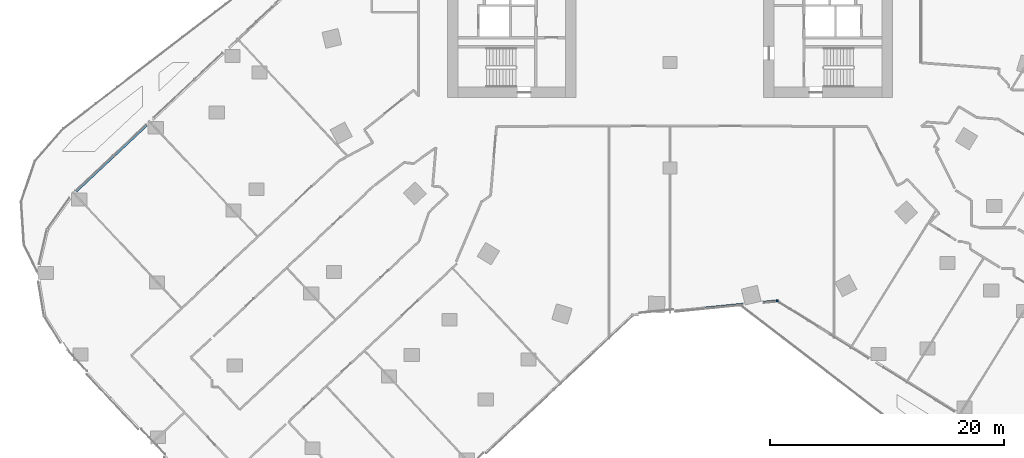
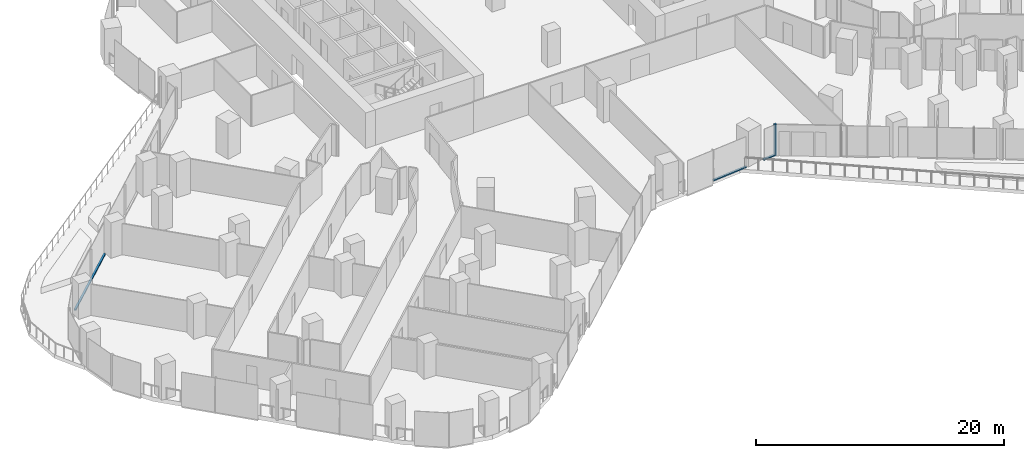
# One storey, part 5 of 34: 4 members, 2 elements without a shape of their own.
"""IFC4 building model written with IfcOpenShell, lengths in metres."""

from ifc_helpers import new_model, si_unit, direction, frame, origin, origin_2d, place, context, subcontext, project, spatial, rectangle, extrude, material, material_profile, profile_set, type_object, element, aggregate, save


model = new_model("IFC4")

# Units and contexts
model_context = context("Model", 3, precision=1e-05, world=origin(), true_north=direction((0.0, 1.0)))
body_context = subcontext(model_context, "Body", "Model", "MODEL_VIEW")
ifc_project = project(units=[si_unit("LENGTHUNIT", "METRE"), si_unit("AREAUNIT", "SQUARE_METRE"), si_unit("VOLUMEUNIT", "CUBIC_METRE"), si_unit("PLANEANGLEUNIT", "RADIAN"), si_unit("MASSUNIT", "GRAM", prefix="KILO")], contexts=[model_context])

# Site, building, storey
site_placement = place(None, origin())
site = spatial("IfcSite", under=ifc_project, at=site_placement, CompositionType="ELEMENT")
building_placement = place(site_placement, origin())
building = spatial("IfcBuilding", under=site, at=building_placement, Name="Orlundy Tower", CompositionType="ELEMENT")
storey_placement = place(building_placement, frame((0.0, 0.0, 37.300048828125)))
storey = spatial("IfcBuildingStorey", under=building, at=storey_placement, Name="L07", CompositionType="ELEMENT", Elevation=37.300048828125)

# Curtain wall, member
ifc_material_1 = material(Name="Aluminium bronze anodised", Category="aluminium")
curtain_wall_type = type_object("IfcCurtainWallType", Name="CW1 wall", PredefinedType="NOTDEFINED", material=ifc_material_1)
curtain_wall_1_placement = place(storey_placement, origin())
curtain_wall_1 = element("IfcCurtainWall", 1, at=curtain_wall_1_placement, inside=storey, type_object=curtain_wall_type, Name="CW1 run 017", PredefinedType="NOTDEFINED")
ifc_material_2 = material(Name="Aluminium bronze anodised", Category="aluminium")
ifc_material_profile_1 = material_profile(ifc_material_2, rectangle(XDim=0.179931640625, YDim=0.179931640625, at=origin_2d()), Name="CW1 corner post 180x180")
ifc_profile_set_1 = profile_set([ifc_material_profile_1], Name="Aluminium bronze anodised")
member_type_1 = type_object("IfcMemberType", Name="CW1 corner post 180x180", PredefinedType="MULLION", material=ifc_profile_set_1)
member_1_placement = place(storey_placement, frame((9.153564453125, -29.32958984375, 0.0), z_axis=(0.0, 0.0, 1.0), x_axis=(0.098750373279, -0.995112236774, 0.0)))
member_1 = element("IfcMember", 2, at=member_1_placement, type_object=member_type_1, Name="CW1 mullion 49", PredefinedType="MULLION", context=body_context, shape_type="SweptSolid", body=[
    extrude(rectangle(XDim=0.179931640625, YDim=0.179931640625, at=origin_2d()), origin(), (0.0, 0.0, 1.0), 3.079833984375),
])

curtain_wall_2_placement = place(storey_placement, origin())
curtain_wall_2 = element("IfcCurtainWall", 3, at=curtain_wall_2_placement, inside=storey, type_object=curtain_wall_type, Name="CW1 run 00", PredefinedType="NOTDEFINED")
ifc_material_3 = material(Name="Aluminium bronze anodised", Category="aluminium")
ifc_material_profile_2 = material_profile(ifc_material_3, rectangle(XDim=0.179931640625, YDim=0.1201171875, at=origin_2d()), Name="CW1 transom 180x120")
ifc_profile_set_2 = profile_set([ifc_material_profile_2], Name="Aluminium bronze anodised")
member_type_2 = type_object("IfcMemberType", Name="CW1 transom 180x120", PredefinedType="USERDEFINED", material=ifc_profile_set_2)
member_2_placement = place(storey_placement, frame((-50.68310546875, -19.9951171875, 0.06005859375), z_axis=(0.729351221798, 0.684139456005, 0.0), x_axis=(-0.684139456005, 0.729351221798, 0.0)))
member_2 = element("IfcMember", 4, at=member_2_placement, type_object=member_type_2, Name="CW1 transom", ObjectType="TRANSOM", PredefinedType="USERDEFINED", context=body_context, shape_type="SweptSolid", body=[
    extrude(rectangle(XDim=0.179931640625, YDim=0.1201171875, at=origin_2d()), origin(), (0.0, 0.0, 1.0), 8.2294921875),
])
aggregate(curtain_wall_2, [member_2])

# Member
member_3_placement = place(storey_placement, frame((9.06396484375, -29.33837890625, 0.06005859375), z_axis=(-0.995095778729, -0.098916081385, 0.0), x_axis=(0.098916081385, -0.995095778729, 0.0)))
member_3 = element("IfcMember", 5, at=member_3_placement, type_object=member_type_2, Name="CW1 transom", ObjectType="TRANSOM", PredefinedType="USERDEFINED", context=body_context, shape_type="SweptSolid", body=[
    extrude(rectangle(XDim=0.179931640625, YDim=0.1201171875, at=origin_2d()), origin(), (0.0, 0.0, 1.0), 1.110595703125),
])

member_4_placement = place(storey_placement, frame((6.2509765625, -29.61767578125, 0.06005859375), z_axis=(-0.995111556646, -0.098757226723, 0.0), x_axis=(0.098757226723, -0.995111556646, 0.0)))
member_4 = element("IfcMember", 6, at=member_4_placement, type_object=member_type_2, Name="CW1 transom", ObjectType="TRANSOM", PredefinedType="USERDEFINED", context=body_context, shape_type="SweptSolid", body=[
    extrude(rectangle(XDim=0.179931640625, YDim=0.1201171875, at=origin_2d()), origin(), (0.0, 0.0, 1.0), 3.2705078125),
])

aggregate(curtain_wall_1, [member_1, member_3, member_4])

save(model, "model.ifc")
